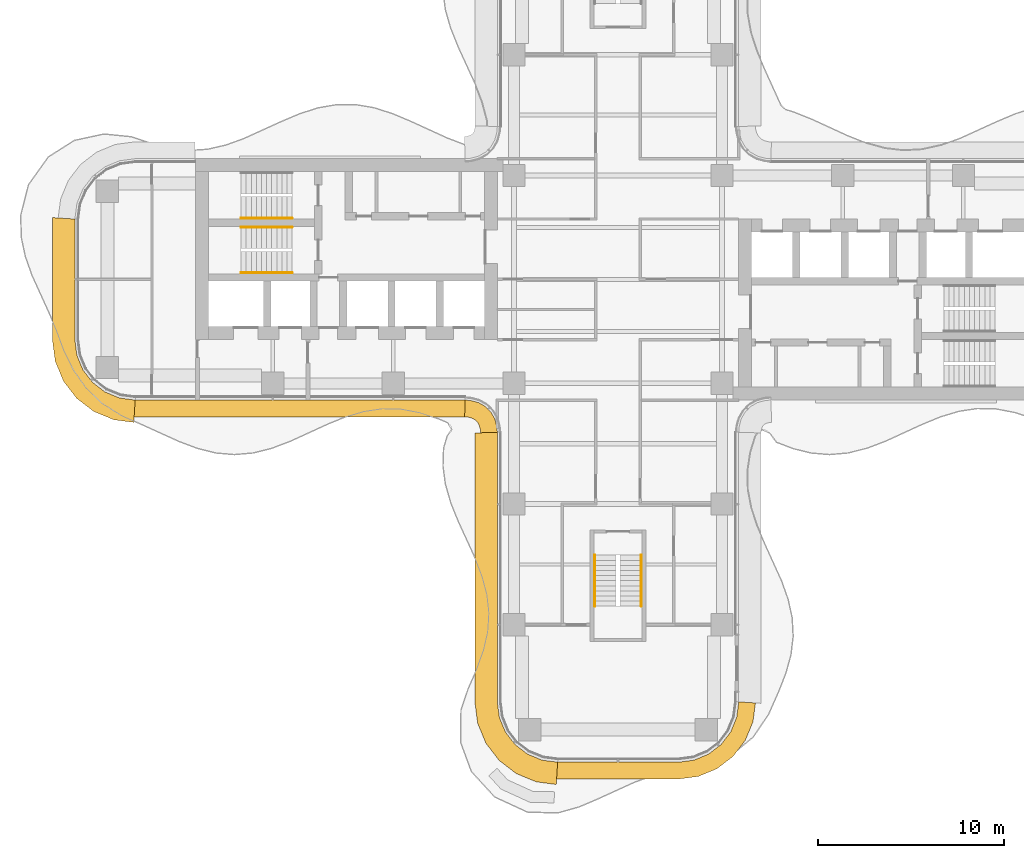
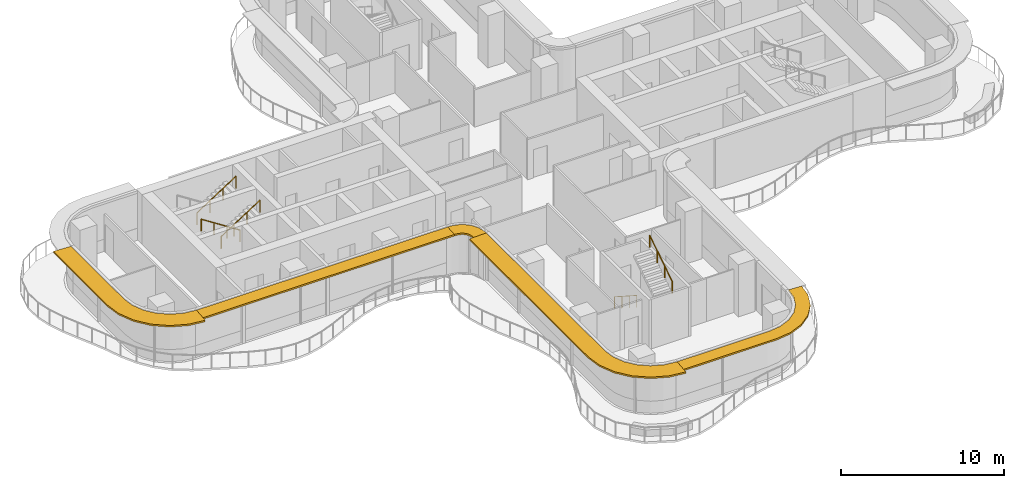
# One storey, part 18 of 19: 5 railings, 5 shading devices.
"""IFC4 building model written with IfcOpenShell, lengths in metres."""

from ifc_helpers import new_model, si_unit, direction, frame, origin, origin_2d, place, context, subcontext, project, spatial, polyline, circle, outline, extrude, source, transform, mapped, material, layer, layer_set, type_object, element, save


model = new_model("IFC4")

# Units and contexts
model_context = context("Model", 3, precision=1e-05, world=origin(), true_north=direction((0.0, 1.0)))
body_context = subcontext(model_context, "Body", "Model", "MODEL_VIEW")
ifc_project = project(units=[si_unit("LENGTHUNIT", "METRE"), si_unit("AREAUNIT", "SQUARE_METRE"), si_unit("VOLUMEUNIT", "CUBIC_METRE"), si_unit("PLANEANGLEUNIT", "RADIAN"), si_unit("MASSUNIT", "GRAM", prefix="KILO")], contexts=[model_context])

# Site, building, storey
site_placement = place(None, origin())
site = spatial("IfcSite", under=ifc_project, at=site_placement, CompositionType="ELEMENT")
building_placement = place(site_placement, origin())
building = spatial("IfcBuilding", under=site, at=building_placement, Name="Trellis Farm Tower", CompositionType="ELEMENT")
storey_placement = place(building_placement, frame((0.0, 0.0, 197.10009765625)))
storey = spatial("IfcBuildingStorey", under=building, at=storey_placement, Name="L43", CompositionType="ELEMENT", Elevation=197.10009765625)

# Railings
ifc_material_1 = material(Name="Stainless steel", Category="steel")
railing_type = type_object("IfcRailingType", Name="STAIR HANDRAIL 900", PredefinedType="HANDRAIL", material=ifc_material_1)
shared_shape_1 = source(origin(), body_context, "Body", "SweptSolid", [
    extrude(circle(Radius=0.02392578125, at=origin_2d()), frame((0.0, 0.0, 0.8759765625), z_axis=(0.0, 0.840503830235, 0.541805602924), x_axis=(-1.0, 0.0, 0.0)), (0.0, 0.0, 1.0), 3.271728515625),
    extrude(circle(Radius=0.02099609375, at=origin_2d()), origin(), (0.0, 0.0, 1.0), 0.851806640625),
    extrude(circle(Radius=0.02099609375, at=origin_2d()), frame((0.0, 0.916748046875, 0.5908203125)), (0.0, 0.0, 1.0), 0.851806640625),
    extrude(circle(Radius=0.02099609375, at=origin_2d()), frame((0.0, 1.833251953125, 1.181884765625)), (0.0, 0.0, 1.0), 0.851806640625),
    extrude(circle(Radius=0.02099609375, at=origin_2d()), frame((0.0, 2.75, 1.772705078125)), (0.0, 0.0, 1.0), 0.851806640625),
])
railing_1_placement = place(storey_placement, frame((1.25, -17.60009765625, 2.127197265625)))
element("IfcRailing", 1, at=railing_1_placement, inside=storey, type_object=railing_type, Name="Stair handrail", PredefinedType="HANDRAIL", context=body_context, shape_type="MappedRepresentation", body=[
    mapped(shared_shape_1, transform((0.0, 0.0, 0.0))),
])
shared_shape_2 = source(origin(), body_context, "Body", "SweptSolid", [
    extrude(circle(Radius=0.02392578125, at=origin_2d()), frame((0.0, 0.0, 0.8759765625), z_axis=(0.0, -0.840503830235, 0.541805602924), x_axis=(1.0, 0.0, 0.0)), (0.0, 0.0, 1.0), 3.271728515625),
    extrude(circle(Radius=0.02099609375, at=origin_2d()), origin(), (0.0, 0.0, 1.0), 0.851806640625),
    extrude(circle(Radius=0.02099609375, at=origin_2d()), frame((0.0, -0.916748046875, 0.5908203125)), (0.0, 0.0, 1.0), 0.851806640625),
    extrude(circle(Radius=0.02099609375, at=origin_2d()), frame((0.0, -1.833251953125, 1.181884765625)), (0.0, 0.0, 1.0), 0.851806640625),
    extrude(circle(Radius=0.02099609375, at=origin_2d()), frame((0.0, -2.75, 1.772705078125)), (0.0, 0.0, 1.0), 0.851806640625),
])
railing_2_placement = place(storey_placement, frame((-1.25, -14.85009765625, 0.17724609375)))
element("IfcRailing", 2, at=railing_2_placement, inside=storey, type_object=railing_type, Name="Stair handrail", PredefinedType="HANDRAIL", context=body_context, shape_type="MappedRepresentation", body=[
    mapped(shared_shape_2, transform((0.0, 0.0, 0.0))),
])
shared_shape_3 = source(origin(), body_context, "Body", "SweptSolid", [
    extrude(circle(Radius=0.02392578125, at=origin_2d()), frame((0.0, 0.0, 0.8759765625), z_axis=(0.840503830235, 0.0, 0.541805602924), x_axis=(0.0, 1.0, 0.0)), (0.0, 0.0, 1.0), 3.271728515625),
    extrude(circle(Radius=0.02099609375, at=origin_2d()), origin(), (0.0, 0.0, 1.0), 0.851806640625),
    extrude(circle(Radius=0.02099609375, at=origin_2d()), frame((0.916748046875, 0.0, 0.5908203125)), (0.0, 0.0, 1.0), 0.851806640625),
    extrude(circle(Radius=0.02099609375, at=origin_2d()), frame((1.833251953125, 0.0, 1.181884765625)), (0.0, 0.0, 1.0), 0.851806640625),
    extrude(circle(Radius=0.02099609375, at=origin_2d()), frame((2.75, 0.0, 1.772705078125)), (0.0, 0.0, 1.0), 0.851806640625),
])
for number, where, name in (
    (3, (-20.300048828125, 3.300048828125, 2.127197265625), "Stair handrail"),
    (4, (-20.300048828125, 0.35009765625, 2.127197265625), "Stair handrail"),
):
    element("IfcRailing", number, at=place(storey_placement, frame(where)), inside=storey, type_object=railing_type, Name=name, PredefinedType="HANDRAIL", context=body_context, shape_type="MappedRepresentation", body=[
        mapped(shared_shape_3, transform((0.0, 0.0, 0.0))),
    ])
shared_shape_4 = source(origin(), body_context, "Body", "SweptSolid", [
    extrude(circle(Radius=0.02392578125, at=origin_2d()), frame((0.0, 0.0, 0.8759765625), z_axis=(-0.840503830235, 0.0, 0.541805602924), x_axis=(0.0, -1.0, 0.0)), (0.0, 0.0, 1.0), 3.271728515625),
    extrude(circle(Radius=0.02099609375, at=origin_2d()), origin(), (0.0, 0.0, 1.0), 0.851806640625),
    extrude(circle(Radius=0.02099609375, at=origin_2d()), frame((-0.916748046875, 0.0, 0.5908203125)), (0.0, 0.0, 1.0), 0.851806640625),
    extrude(circle(Radius=0.02099609375, at=origin_2d()), frame((-1.833251953125, 0.0, 1.181884765625)), (0.0, 0.0, 1.0), 0.851806640625),
    extrude(circle(Radius=0.02099609375, at=origin_2d()), frame((-2.75, 0.0, 1.772705078125)), (0.0, 0.0, 1.0), 0.851806640625),
])
railing_3_placement = place(storey_placement, frame((-17.550048828125, 2.800048828125, 0.17724609375)))
element("IfcRailing", 5, at=railing_3_placement, inside=storey, type_object=railing_type, Name="Stair handrail", PredefinedType="HANDRAIL", context=body_context, shape_type="MappedRepresentation", body=[
    mapped(shared_shape_4, transform((0.0, 0.0, 0.0))),
])

# Shading devices
ifc_material_2 = material(Name="Aluminium extrusion 6063-T6", Category="aluminium")
ifc_layer_1 = layer(ifc_material_2, 0.1201171875)
ifc_layer_set_1 = layer_set([ifc_layer_1], Name="SUNSHADE BLADE 900")
shading_device_type_1 = type_object("IfcShadingDeviceType", Name="SUNSHADE BLADE 900", PredefinedType="USERDEFINED", material=ifc_layer_set_1)
shared_shape_5 = source(origin(), body_context, "Body", "SweptSolid", [
    extrude(outline(polyline([(-8.2607421875, -7.39990234375), (-8.107666015625, -7.409912109375), (-8.091552734375, -7.412109375), (-7.85595703125, -7.475341796875), (-7.697021484375, -7.567138671875), (-7.567138671875, -7.697021484375), (-7.475341796875, -7.85595703125), (-7.412109375, -8.091552734375), (-7.409912109375, -8.107666015625), (-7.39990234375, -8.2607421875), (-6.5, -8.2314453125), (-6.513916015625, -8.01953125), (-6.527587890625, -7.91552734375), (-6.63671875, -7.508544921875), (-6.846923828125, -7.144287109375), (-7.144287109375, -6.846923828125), (-7.508544921875, -6.63671875), (-7.91552734375, -6.527587890625), (-8.01953125, -6.513916015625), (-8.2314453125, -6.5), (-8.2607421875, -7.39990234375)])), origin(), (0.0, 0.0, 1.0), 0.1201171875),
])
placement = place(storey_placement, frame((0.0, 0.0, 3.539794921875)))
element("IfcShadingDevice", 6, at=placement, inside=storey, type_object=shading_device_type_1, Name="SD1 002", ObjectType="SUNSHADE", PredefinedType="USERDEFINED", context=body_context, shape_type="MappedRepresentation", body=[
    mapped(shared_shape_5, transform((0.0, 0.0, 0.0))),
])
ifc_layer_2 = layer(ifc_material_2, 0.1201171875)
ifc_layer_set_2 = layer_set([ifc_layer_2], Name="SUNSHADE BLADE 1200")
shading_device_type_2 = type_object("IfcShadingDeviceType", Name="SUNSHADE BLADE 1200", PredefinedType="USERDEFINED", material=ifc_layer_set_2)
shared_shape_6 = source(origin(), body_context, "Body", "SweptSolid", [
    extrude(outline(polyline([(-7.699951171875, -8.270751953125), (-7.699951171875, -22.82861328125), (-7.558349609375, -23.904541015625), (-7.11279296875, -24.980224609375), (-6.404052734375, -25.904052734375), (-5.480224609375, -26.61279296875), (-4.404541015625, -27.058349609375), (-3.32861328125, -27.199951171875), (-3.25, -26.0), (-4.091064453125, -25.88916015625), (-4.875, -25.564697265625), (-5.548095703125, -25.048095703125), (-6.064697265625, -24.375), (-6.38916015625, -23.591064453125), (-6.5, -22.75), (-6.5, -8.2314453125), (-7.699951171875, -8.270751953125)])), origin(), (0.0, 0.0, 1.0), 0.1201171875),
])
element("IfcShadingDevice", 7, at=placement, inside=storey, type_object=shading_device_type_2, Name="SD2 003", ObjectType="SUNSHADE", PredefinedType="USERDEFINED", context=body_context, shape_type="MappedRepresentation", body=[
    mapped(shared_shape_6, transform((0.0, 0.0, 0.0))),
])
shared_shape_7 = source(origin(), body_context, "Body", "SweptSolid", [
    extrude(outline(polyline([(-3.30908203125, -26.89990234375), (3.30908203125, -26.89990234375), (4.326171875, -26.76611328125), (5.328857421875, -26.350830078125), (6.18994140625, -25.68994140625), (6.850830078125, -24.828857421875), (7.26611328125, -23.826171875), (7.39990234375, -22.80908203125), (6.5, -22.75), (6.38916015625, -23.591064453125), (6.064697265625, -24.375), (5.548095703125, -25.048095703125), (4.875, -25.564697265625), (4.091064453125, -25.88916015625), (3.25, -26.0), (-3.25, -26.0), (-3.30908203125, -26.89990234375)])), origin(), (0.0, 0.0, 1.0), 0.1201171875),
])
element("IfcShadingDevice", 8, at=placement, inside=storey, type_object=shading_device_type_1, Name="SD1 004", ObjectType="SUNSHADE", PredefinedType="USERDEFINED", context=body_context, shape_type="MappedRepresentation", body=[
    mapped(shared_shape_7, transform((0.0, 0.0, 0.0))),
])
shared_shape_8 = source(origin(), body_context, "Body", "SweptSolid", [
    extrude(outline(polyline([(-26.05908203125, -7.39990234375), (-8.2607421875, -7.39990234375), (-8.2314453125, -6.5), (-26.0, -6.5), (-26.05908203125, -7.39990234375)])), origin(), (0.0, 0.0, 1.0), 0.1201171875),
])
element("IfcShadingDevice", 9, at=placement, inside=storey, type_object=shading_device_type_1, Name="SD1 001", ObjectType="SUNSHADE", PredefinedType="USERDEFINED", context=body_context, shape_type="MappedRepresentation", body=[
    mapped(shared_shape_8, transform((0.0, 0.0, 0.0))),
])
shared_shape_9 = source(origin(), body_context, "Body", "SweptSolid", [
    extrude(outline(polyline([(-30.449951171875, 3.32861328125), (-30.449951171875, -3.32861328125), (-30.308349609375, -4.404541015625), (-29.86279296875, -5.480224609375), (-29.154052734375, -6.404052734375), (-28.230224609375, -7.11279296875), (-27.154541015625, -7.558349609375), (-26.07861328125, -7.699951171875), (-26.0, -6.5), (-26.841064453125, -6.38916015625), (-27.625, -6.064697265625), (-28.298095703125, -5.548095703125), (-28.814697265625, -4.875), (-29.13916015625, -4.091064453125), (-29.25, -3.25), (-29.25, 3.25), (-30.449951171875, 3.32861328125)])), origin(), (0.0, 0.0, 1.0), 0.1201171875),
])
element("IfcShadingDevice", 10, at=placement, inside=storey, type_object=shading_device_type_2, Name="SD2 016", ObjectType="SUNSHADE", PredefinedType="USERDEFINED", context=body_context, shape_type="MappedRepresentation", body=[
    mapped(shared_shape_9, transform((0.0, 0.0, 0.0))),
])

save(model, "model.ifc")
